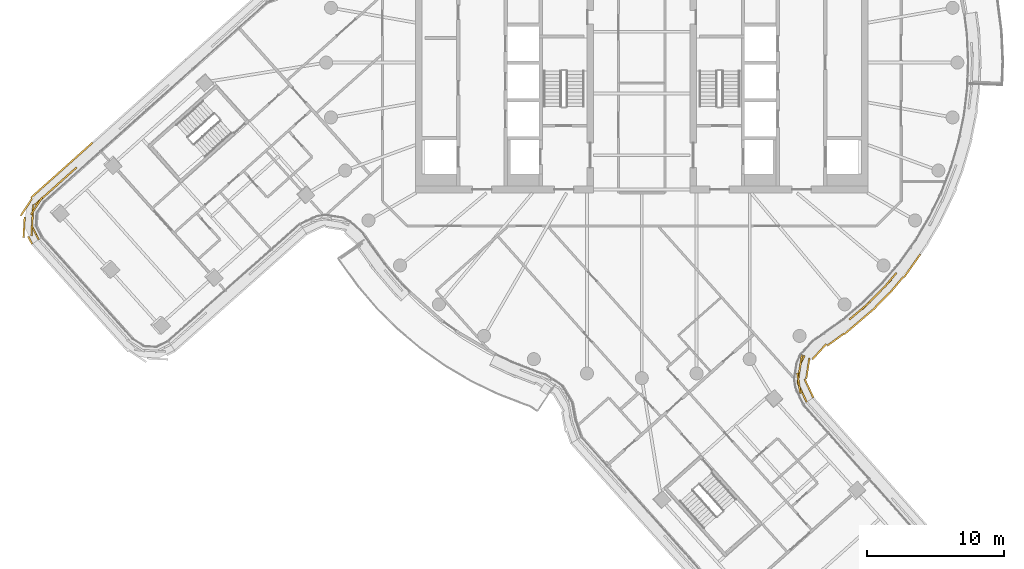
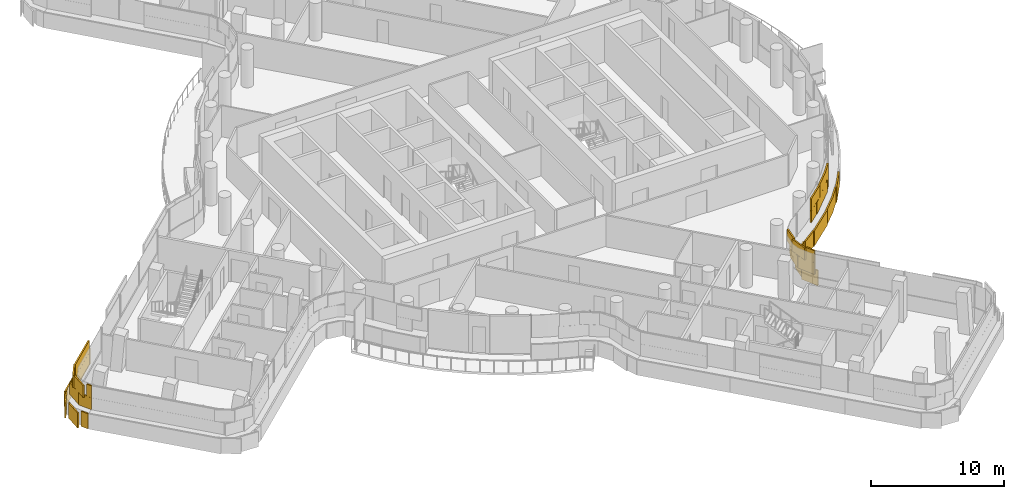
# One storey, part 28 of 33: 2 coverings.
"""IFC4 building model written with IfcOpenShell, lengths in metres."""

import ifcopenshell
import ifcopenshell.guid

model = None  # the IFC model being written
_history = None  # IfcOwnerHistory: only IFC2X3 demands one
_inside = {}  # id of a spatial element -> (the spatial element, [elements in it])
_under = {}  # id of a project, library or spatial element -> (it, [spatial elements below it])
_declared = {}  # id of a project -> (the project, [libraries it declares])
_typed = {}  # id of a type object -> (the type object, [elements of that type])
_made_of = {}  # id of a material, layer set ... -> (it, [elements and type objects made of it])


def new_model(schema):
    """Start an empty IFC model of exactly this schema.

    Asked for "IFC4X3", IfcOpenShell would pick the latest addendum, in which some entities
    have other attributes; the version numbers below select the first issue.
    IFC2X3 requires an IfcOwnerHistory on every rooted entity: one is made here for all.
    """
    global model, _history
    if schema == "IFC4X3":
        model = ifcopenshell.file(schema_version=(4, 3, 0, 0))
    else:
        model = ifcopenshell.file(schema=schema)
    _inside.clear()
    _under.clear()
    _declared.clear()
    _typed.clear()
    _made_of.clear()
    _history = None
    if model.schema == "IFC2X3":
        org = make("IfcOrganization", Name="unknown")
        user = make(
            "IfcPersonAndOrganization",
            ThePerson=make("IfcPerson", FamilyName="unknown"),
            TheOrganization=org,
        )
        app = make(
            "IfcApplication",
            ApplicationDeveloper=org,
            Version="unknown",
            ApplicationFullName="unknown",
            ApplicationIdentifier="unknown",
        )
        _history = make(
            "IfcOwnerHistory",
            OwningUser=user,
            OwningApplication=app,
            ChangeAction="ADDED",
            CreationDate=0,
        )
    return model


def make(cls, **values):
    """One entity of the class cls with the attributes given. An attribute that is None is left unset."""
    return model.create_entity(
        cls, **{name: value for name, value in values.items() if value is not None}
    )


def rooted(cls, **values):
    """An entity with a GlobalId (a new one), such as an element, a storey or a relation."""
    return make(cls, GlobalId=ifcopenshell.guid.new(), OwnerHistory=_history, **values)


def si_unit(unit_type, name, prefix=None):
    """IfcSIUnit, for example si_unit("LENGTHUNIT", "METRE", prefix="MILLI")."""
    return make("IfcSIUnit", UnitType=unit_type, Prefix=prefix, Name=name)


def assignment(units):
    """IfcUnitAssignment: the units of a project."""
    return None if units is None else make("IfcUnitAssignment", Units=units)


def point(xyz):
    """IfcCartesianPoint."""
    return None if xyz is None else make("IfcCartesianPoint", Coordinates=xyz)


def direction(xyz):
    """IfcDirection."""
    return None if xyz is None else make("IfcDirection", DirectionRatios=xyz)


def frame(location, z_axis=None, x_axis=None):
    """IfcAxis2Placement3D, a coordinate frame: its origin and axes. An axis left out is left unset."""
    return make(
        "IfcAxis2Placement3D",
        Location=point(location),
        Axis=direction(z_axis),
        RefDirection=direction(x_axis),
    )


def frame_2d(location, x_axis=None):
    """IfcAxis2Placement2D, a coordinate frame in the plane: its origin and x axis."""
    return make(
        "IfcAxis2Placement2D", Location=point(location), RefDirection=direction(x_axis)
    )


def origin():
    """The frame at (0, 0, 0) with its axes left unset."""
    return frame((0.0, 0.0, 0.0))


def origin_2d():
    """The frame at (0, 0) in the plane with its x axis left unset."""
    return frame_2d((0.0, 0.0))


def place(relative_to, where):
    """IfcLocalPlacement: puts the frame where relative to a parent placement (None: the world)."""
    return make(
        "IfcLocalPlacement", PlacementRelTo=relative_to, RelativePlacement=where
    )


def context(
    kind, dimensions, precision=None, world=None, true_north=None, identifier=None
):
    """IfcGeometricRepresentationContext, for example the 3D "Model" context."""
    return make(
        "IfcGeometricRepresentationContext",
        ContextIdentifier=identifier,
        ContextType=kind,
        CoordinateSpaceDimension=dimensions,
        Precision=precision,
        WorldCoordinateSystem=world,
        TrueNorth=true_north,
    )


def subcontext(parent, identifier, kind, view, scale=None):
    """IfcGeometricRepresentationSubContext, for example "Body" below "Model"."""
    return make(
        "IfcGeometricRepresentationSubContext",
        ContextIdentifier=identifier,
        ContextType=kind,
        ParentContext=parent,
        TargetScale=scale,
        TargetView=view,
    )


def project(units=None, contexts=None):
    """IfcProject with its units and contexts."""
    return rooted(
        "IfcProject",
        Name="project",
        RepresentationContexts=contexts,
        UnitsInContext=assignment(units),
    )


def spatial(cls, under=None, at=None, **own):
    """A site, building, storey or space (cls), placed at a placement, below another one or the project."""
    s = rooted(cls, ObjectPlacement=at, **own)
    if under is not None:
        _under.setdefault(under.id(), (under, []))[1].append(s)
    return s


def profile(cls, at=None, kind="AREA", **sizes):
    """A parametric profile (cls). Its sizes go by their IFC names, for example OverallWidth=200.0."""
    return make(cls, ProfileType=kind, Position=at, **sizes)


def rectangle(**sizes):
    """IfcRectangleProfileDef."""
    return profile("IfcRectangleProfileDef", **sizes)


def extrude(swept, where, along, depth):
    """IfcExtrudedAreaSolid: the profile swept, set in the frame where, extruded along a direction by depth."""
    return make(
        "IfcExtrudedAreaSolid",
        SweptArea=swept,
        Position=where,
        ExtrudedDirection=direction(along),
        Depth=depth,
    )


def shape(context_of_items, identifier, shape_type, items):
    """IfcShapeRepresentation: the items that make up one representation, for example the "Body"."""
    return make(
        "IfcShapeRepresentation",
        ContextOfItems=context_of_items,
        RepresentationIdentifier=identifier,
        RepresentationType=shape_type,
        Items=items,
    )


def material(Name=None, Category=None):
    """IfcMaterial."""
    return make("IfcMaterial", Name=Name, Category=Category)


def layer(
    of_material, thickness, ventilated=None, Name=None, Category=None, Priority=None
):
    """IfcMaterialLayer: one layer of a wall or slab, of a material (None: an air gap)."""
    return make(
        "IfcMaterialLayer",
        Material=of_material,
        LayerThickness=thickness,
        IsVentilated=ventilated,
        Name=Name,
        Category=Category,
        Priority=Priority,
    )


def layer_set(layers, Name=None):
    """IfcMaterialLayerSet."""
    return make("IfcMaterialLayerSet", MaterialLayers=layers, LayerSetName=Name)


def made_of(thing, what):
    """Note that an element or type object is made of a material, layer set ...; save() writes the relation."""
    if what is not None:
        _made_of.setdefault(what.id(), (what, []))[1].append(thing)
    return thing


def type_object(cls, material=None, **own):
    """A type object (cls), such as IfcWallType, which elements share."""
    return made_of(rooted(cls, **own), material)


def element(
    cls,
    number,
    at=None,
    inside=None,
    cuts=None,
    type_object=None,
    material=None,
    context=None,
    identifier="Body",
    shape_type=None,
    held_by="IfcProductDefinitionShape",
    body=None,
    shapes=None,
    **own,
):
    """One element of the class cls, such as IfcWall. Its Tag is "e" and its number.

    at: its placement. inside: the storey or other place that contains it. cuts: it is an
    opening in that element (IfcRelVoidsElement). A single representation is given by context,
    identifier, shape_type and body (its items); several are given by shapes. held_by: the class
    of the entity that holds the representations. save() writes the other relations.
    """
    e = rooted(cls, Tag="e%d" % number, ObjectPlacement=at, **own)
    if body is not None:
        shapes = [shape(context, identifier, shape_type, body)]
    if shapes is not None:
        e.Representation = make(held_by, Representations=shapes)
    if inside is not None:
        _inside.setdefault(inside.id(), (inside, []))[1].append(e)
    if cuts is not None:
        rooted(
            "IfcRelVoidsElement", RelatingBuildingElement=cuts, RelatedOpeningElement=e
        )
    if type_object is not None:
        _typed.setdefault(type_object.id(), (type_object, []))[1].append(e)
    return made_of(e, material)


def aggregate(whole, parts):
    """IfcRelAggregates: a whole, such as a stair, and the parts it consists of."""
    return rooted("IfcRelAggregates", RelatingObject=whole, RelatedObjects=parts)


def save(model, path):
    """Write the relations noted so far, then the file.

    IfcRelAggregates (storeys below a building ...), IfcRelContainedInSpatialStructure (elements
    in a storey), IfcRelDefinesByType, IfcRelAssociatesMaterial and IfcRelDeclares: one each for
    every whole, place, type object, material and project.
    """
    for whole, parts in _under.values():
        aggregate(whole, parts)
    for where, things in _inside.values():
        rooted(
            "IfcRelContainedInSpatialStructure",
            RelatedElements=things,
            RelatingStructure=where,
        )
    for kind, things in _typed.values():
        rooted("IfcRelDefinesByType", RelatedObjects=things, RelatingType=kind)
    for what, things in _made_of.values():
        rooted("IfcRelAssociatesMaterial", RelatedObjects=things, RelatingMaterial=what)
    for by, libraries in _declared.values():
        rooted("IfcRelDeclares", RelatingContext=by, RelatedDefinitions=libraries)
    model.write(path)


model = new_model("IFC4")

# Units and contexts
model_context = context("Model", 3, precision=1e-05, world=origin(), true_north=direction((0.0, 1.0)))
body_context = subcontext(model_context, "Body", "Model", "MODEL_VIEW")
ifc_project = project(units=[si_unit("LENGTHUNIT", "METRE"), si_unit("AREAUNIT", "SQUARE_METRE"), si_unit("VOLUMEUNIT", "CUBIC_METRE"), si_unit("PLANEANGLEUNIT", "RADIAN"), si_unit("MASSUNIT", "GRAM", prefix="KILO")], contexts=[model_context])

# Site, building, storey
site_placement = place(None, origin())
site = spatial("IfcSite", under=ifc_project, at=site_placement, CompositionType="ELEMENT")
building_placement = place(site_placement, origin())
building = spatial("IfcBuilding", under=site, at=building_placement, Name="Tamarind Cross Interchange Tower", CompositionType="ELEMENT")
storey_placement = place(building_placement, frame((0.0, 0.0, 186.10009765625)))
storey = spatial("IfcBuildingStorey", under=building, at=storey_placement, Name="L46", CompositionType="ELEMENT", Elevation=186.10009765625)

# Coverings
ifc_material = material(Name="Terracotta", Category="masonry")
ifc_layer = layer(ifc_material, 0.1201171875)
ifc_layer_set = layer_set([ifc_layer], Name="Terracotta")
covering_type = type_object("IfcCoveringType", Name="Terracotta baguette screen unit", PredefinedType="MOLDING", material=ifc_layer_set)
covering_1_placement = place(storey_placement, origin())
element("IfcCovering", 1, at=covering_1_placement, inside=storey, type_object=covering_type, Name="SCR-L46-06-00", PredefinedType="MOLDING", context=body_context, shape_type="SweptSolid", body=[
    extrude(rectangle(XDim=1.510009765625, YDim=0.1201171875, at=origin_2d()), frame((11.697998046875, -24.05859375, 1.40380859375), z_axis=(0.0, 0.0, 1.0), x_axis=(-0.421957676406, 0.906615530047, 0.0)), (0.0, 0.0, 1.0), 1.092041015625),
    extrude(rectangle(XDim=1.52001953125, YDim=0.1201171875, at=origin_2d()), frame((11.469970703125, -22.617431640625, 1.40380859375), z_axis=(0.0, 0.0, 1.0), x_axis=(0.151420630653, 0.988469419159, 0.0)), (0.0, 0.0, 1.0), 1.092041015625),
    extrude(rectangle(XDim=0.601318359375, YDim=0.1201171875, at=origin_2d()), frame((11.7314453125, -21.61572265625, 1.40380859375), z_axis=(0.0, 0.0, 1.0), x_axis=(0.431188634432, 0.902261803213, 0.0)), (0.0, 0.0, 1.0), 1.092041015625),
    extrude(rectangle(XDim=1.21875, YDim=0.1201171875, at=origin_2d()), frame((15.58935546875, -18.33349609375, 1.40380859375), z_axis=(0.0, 0.0, 1.0), x_axis=(0.760295606781, 0.64957723968, 0.0)), (0.0, 0.0, 1.0), 1.092041015625),
    extrude(rectangle(XDim=1.52001953125, YDim=0.1201171875, at=origin_2d()), frame((16.60205078125, -17.435546875, 1.40380859375), z_axis=(0.0, 0.0, 1.0), x_axis=(0.704057148523, 0.710143317658, 0.0)), (0.0, 0.0, 1.0), 1.092041015625),
    extrude(rectangle(XDim=1.52001953125, YDim=0.1201171875, at=origin_2d()), frame((17.658203125, -16.370361328125, 1.40380859375), z_axis=(0.0, 0.0, 1.0), x_axis=(0.704057148523, 0.710143317658, 0.0)), (0.0, 0.0, 1.0), 1.092041015625),
    extrude(rectangle(XDim=0.64208984375, YDim=0.1201171875, at=origin_2d()), frame((18.35498046875, -15.564453125, 1.40380859375), z_axis=(0.0, 0.0, 1.0), x_axis=(0.643009266048, 0.765858396687, 0.0)), (0.0, 0.0, 1.0), 1.092041015625),
    extrude(rectangle(XDim=0.760009765625, YDim=0.1201171875, at=origin_2d()), frame((11.856201171875, -24.3984375, 2.50390625), z_axis=(0.0, 0.0, 1.0), x_axis=(-0.421957676406, 0.906615530047, 0.0)), (0.0, 0.0, 1.0), 1.092041015625),
    extrude(rectangle(XDim=1.52001953125, YDim=0.1201171875, at=origin_2d()), frame((11.446533203125, -23.359130859375, 2.50390625), z_axis=(0.0, 0.0, 1.0), x_axis=(-0.141324407206, 0.989963338679, 0.0)), (0.0, 0.0, 1.0), 1.092041015625),
    extrude(rectangle(XDim=1.351318359375, YDim=0.1201171875, at=origin_2d()), frame((11.571533203125, -21.95458984375, 2.50390625), z_axis=(0.0, 0.0, 1.0), x_axis=(0.151420630653, 0.988469419159, 0.0)), (0.0, 0.0, 1.0), 1.092041015625),
    extrude(rectangle(XDim=0.46875, YDim=0.1201171875, at=origin_2d()), frame((15.30419921875, -18.5771484375, 2.50390625), z_axis=(0.0, 0.0, 1.0), x_axis=(0.760295606781, 0.64957723968, 0.0)), (0.0, 0.0, 1.0), 1.092041015625),
    extrude(rectangle(XDim=1.52001953125, YDim=0.1201171875, at=origin_2d()), frame((16.048828125, -17.94091796875, 2.50390625), z_axis=(0.0, 0.0, 1.0), x_axis=(0.760295606781, 0.64957723968, 0.0)), (0.0, 0.0, 1.0), 1.092041015625),
    extrude(rectangle(XDim=1.52001953125, YDim=0.1201171875, at=origin_2d()), frame((17.130126953125, -16.90283203125, 2.50390625), z_axis=(0.0, 0.0, 1.0), x_axis=(0.704057148523, 0.710143317658, 0.0)), (0.0, 0.0, 1.0), 1.092041015625),
    extrude(rectangle(XDim=1.39208984375, YDim=0.1201171875, at=origin_2d()), frame((18.114013671875, -15.8515625, 2.50390625), z_axis=(0.0, 0.0, 1.0), x_axis=(0.643009266048, 0.765858396687, 0.0)), (0.0, 0.0, 1.0), 1.092041015625),
    extrude(rectangle(XDim=1.510009765625, YDim=0.1201171875, at=origin_2d()), frame((12.180908203125, -23.735595703125, 0.00390625), z_axis=(0.0, 0.0, 1.0), x_axis=(-0.421957676406, 0.906615530047, 0.0)), (0.0, 0.0, 1.0), 1.39208984375),
    extrude(rectangle(XDim=1.52001953125, YDim=0.1201171875, at=origin_2d()), frame((12.1015625, -22.285400390625, 0.00390625), z_axis=(0.0, 0.0, 1.0), x_axis=(0.151420630653, 0.988469419159, 0.0)), (0.0, 0.0, 1.0), 1.39208984375),
    extrude(rectangle(XDim=1.52001953125, YDim=0.1201171875, at=origin_2d()), frame((12.934814453125, -21.074951171875, 0.00390625), z_axis=(0.0, 0.0, 1.0), x_axis=(0.674002957732, 0.738728646371, 0.0)), (0.0, 0.0, 1.0), 1.39208984375),
    extrude(rectangle(XDim=1.52001953125, YDim=0.1201171875, at=origin_2d()), frame((14.13671875, -20.18310546875, 0.00390625), z_axis=(0.0, 0.0, 1.0), x_axis=(0.811340475102, 0.584573890505, 0.0)), (0.0, 0.0, 1.0), 1.39208984375),
    extrude(rectangle(XDim=1.52001953125, YDim=0.1201171875, at=origin_2d()), frame((15.345947265625, -19.29638671875, 0.00390625), z_axis=(0.0, 0.0, 1.0), x_axis=(0.760295606781, 0.64957723968, 0.0)), (0.0, 0.0, 1.0), 1.39208984375),
    extrude(rectangle(XDim=1.52001953125, YDim=0.1201171875, at=origin_2d()), frame((16.486572265625, -18.322021484375, 0.00390625), z_axis=(0.0, 0.0, 1.0), x_axis=(0.760295606781, 0.64957723968, 0.0)), (0.0, 0.0, 1.0), 1.39208984375),
    extrude(rectangle(XDim=1.52001953125, YDim=0.1201171875, at=origin_2d()), frame((17.564208984375, -17.2802734375, 0.00390625), z_axis=(0.0, 0.0, 1.0), x_axis=(0.704057148523, 0.710143317658, 0.0)), (0.0, 0.0, 1.0), 1.39208984375),
    extrude(rectangle(XDim=1.52001953125, YDim=0.1201171875, at=origin_2d()), frame((18.585205078125, -16.182861328125, 0.00390625), z_axis=(0.0, 0.0, 1.0), x_axis=(0.643009266048, 0.765858396687, 0.0)), (0.0, 0.0, 1.0), 1.39208984375),
    extrude(rectangle(XDim=1.52001953125, YDim=0.1201171875, at=origin_2d()), frame((19.54736328125, -15.0322265625, 0.00390625), z_axis=(0.0, 0.0, 1.0), x_axis=(0.577568978284, 0.816341886298, 0.0)), (0.0, 0.0, 1.0), 1.39208984375),
    extrude(rectangle(XDim=0.556640625, YDim=0.1201171875, at=origin_2d()), frame((20.135498046875, -14.200927734375, 0.00390625), z_axis=(0.0, 0.0, 1.0), x_axis=(0.577568978284, 0.816341886298, 0.0)), (0.0, 0.0, 1.0), 1.39208984375),
])
covering_2_placement = place(storey_placement, origin())
element("IfcCovering", 2, at=covering_2_placement, inside=storey, type_object=covering_type, Name="SCR-L46-11-02", PredefinedType="MOLDING", context=body_context, shape_type="SweptSolid", body=[
    extrude(rectangle(XDim=1.060791015625, YDim=0.1201171875, at=origin_2d()), frame((-41.583984375, -7.99560546875, 1.40380859375), z_axis=(0.0, 0.0, 1.0), x_axis=(-0.745569057905, -0.666428375667, 0.0)), (0.0, 0.0, 1.0), 1.092041015625),
    extrude(rectangle(XDim=1.52001953125, YDim=0.1201171875, at=origin_2d()), frame((-42.534912109375, -8.845703125, 1.40380859375), z_axis=(0.0, 0.0, 1.0), x_axis=(-0.745569057905, -0.666428375667, 0.0)), (0.0, 0.0, 1.0), 1.092041015625),
    extrude(rectangle(XDim=1.52001953125, YDim=0.1201171875, at=origin_2d()), frame((-43.653076171875, -9.84521484375, 1.40380859375), z_axis=(0.0, 0.0, 1.0), x_axis=(-0.745569057905, -0.666428375667, 0.0)), (0.0, 0.0, 1.0), 1.092041015625),
    extrude(rectangle(XDim=1.52001953125, YDim=0.1201171875, at=origin_2d()), frame((-44.3876953125, -11.10986328125, 1.40380859375), z_axis=(0.0, 0.0, 1.0), x_axis=(-0.055960913078, -0.998432960297, 0.0)), (0.0, 0.0, 1.0), 1.092041015625),
    extrude(rectangle(XDim=1.16552734375, YDim=0.1201171875, at=origin_2d()), frame((-44.212158203125, -12.383544921875, 1.40380859375), z_axis=(0.0, 0.0, 1.0), x_axis=(0.450752907804, -0.892648764132, 0.0)), (0.0, 0.0, 1.0), 1.092041015625),
    extrude(rectangle(XDim=0.310791015625, YDim=0.1201171875, at=origin_2d()), frame((-41.304443359375, -7.74560546875, 2.50390625), z_axis=(0.0, 0.0, 1.0), x_axis=(-0.745569057905, -0.666428375667, 0.0)), (0.0, 0.0, 1.0), 1.092041015625),
    extrude(rectangle(XDim=1.52001953125, YDim=0.1201171875, at=origin_2d()), frame((-41.9755859375, -8.345703125, 2.50390625), z_axis=(0.0, 0.0, 1.0), x_axis=(-0.745569057905, -0.666428375667, 0.0)), (0.0, 0.0, 1.0), 1.092041015625),
    extrude(rectangle(XDim=1.52001953125, YDim=0.1201171875, at=origin_2d()), frame((-43.093994140625, -9.345458984375, 2.50390625), z_axis=(0.0, 0.0, 1.0), x_axis=(-0.745569057905, -0.666428375667, 0.0)), (0.0, 0.0, 1.0), 1.092041015625),
    extrude(rectangle(XDim=1.52001953125, YDim=0.1201171875, at=origin_2d()), frame((-44.099609375, -10.442138671875, 2.50390625), z_axis=(0.0, 0.0, 1.0), x_axis=(-0.547680052493, -0.836687851054, 0.0)), (0.0, 0.0, 1.0), 1.092041015625),
    extrude(rectangle(XDim=1.52001953125, YDim=0.1201171875, at=origin_2d()), frame((-44.4296875, -11.85888671875, 2.50390625), z_axis=(0.0, 0.0, 1.0), x_axis=(-0.055960913078, -0.998432960297, 0.0)), (0.0, 0.0, 1.0), 1.092041015625),
    extrude(rectangle(XDim=0.41552734375, YDim=0.1201171875, at=origin_2d()), frame((-44.04296875, -12.71826171875, 2.50390625), z_axis=(0.0, 0.0, 1.0), x_axis=(0.450752907804, -0.892648764132, 0.0)), (0.0, 0.0, 1.0), 1.092041015625),
    extrude(rectangle(XDim=1.52001953125, YDim=0.1201171875, at=origin_2d()), frame((-40.595458984375, -6.34228515625, 0.00390625), z_axis=(0.0, 0.0, 1.0), x_axis=(-0.745569057905, -0.666428375667, 0.0)), (0.0, 0.0, 1.0), 1.39208984375),
    extrude(rectangle(XDim=1.52001953125, YDim=0.1201171875, at=origin_2d()), frame((-41.7138671875, -7.341796875, 0.00390625), z_axis=(0.0, 0.0, 1.0), x_axis=(-0.745569057905, -0.666428375667, 0.0)), (0.0, 0.0, 1.0), 1.39208984375),
    extrude(rectangle(XDim=1.52001953125, YDim=0.1201171875, at=origin_2d()), frame((-42.832275390625, -8.341552734375, 0.00390625), z_axis=(0.0, 0.0, 1.0), x_axis=(-0.745569057905, -0.666428375667, 0.0)), (0.0, 0.0, 1.0), 1.39208984375),
    extrude(rectangle(XDim=1.52001953125, YDim=0.1201171875, at=origin_2d()), frame((-43.95068359375, -9.341064453125, 0.00390625), z_axis=(0.0, 0.0, 1.0), x_axis=(-0.745569057905, -0.666428375667, 0.0)), (0.0, 0.0, 1.0), 1.39208984375),
    extrude(rectangle(XDim=1.52001953125, YDim=0.1201171875, at=origin_2d()), frame((-44.84521484375, -10.533447265625, 0.00390625), z_axis=(0.0, 0.0, 1.0), x_axis=(-0.547680052493, -0.836687851054, 0.0)), (0.0, 0.0, 1.0), 1.39208984375),
    extrude(rectangle(XDim=1.52001953125, YDim=0.1201171875, at=origin_2d()), frame((-45.0126953125, -12.00341796875, 0.00390625), z_axis=(0.0, 0.0, 1.0), x_axis=(-0.055960913078, -0.998432960297, 0.0)), (0.0, 0.0, 1.0), 1.39208984375),
    extrude(rectangle(XDim=0.621826171875, YDim=0.1201171875, at=origin_2d()), frame((-44.570068359375, -12.947998046875, 0.00390625), z_axis=(0.0, 0.0, 1.0), x_axis=(0.450752907804, -0.892648764132, 0.0)), (0.0, 0.0, 1.0), 1.39208984375),
])

save(model, "model.ifc")
